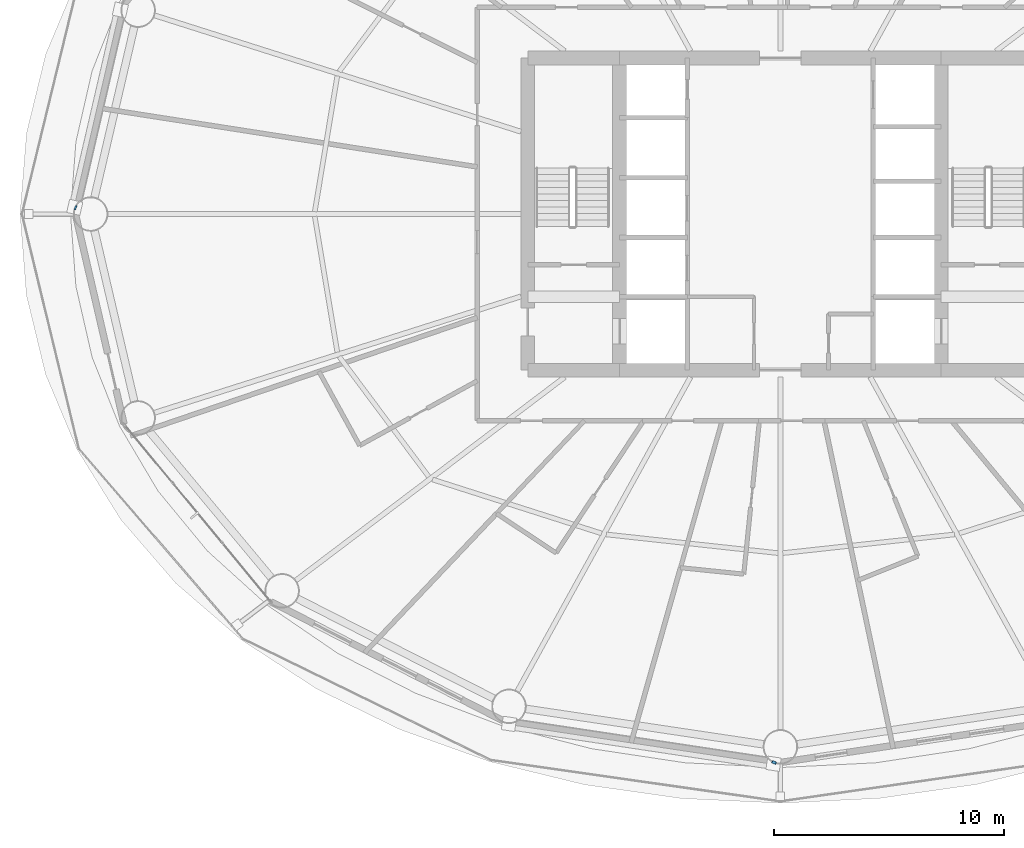
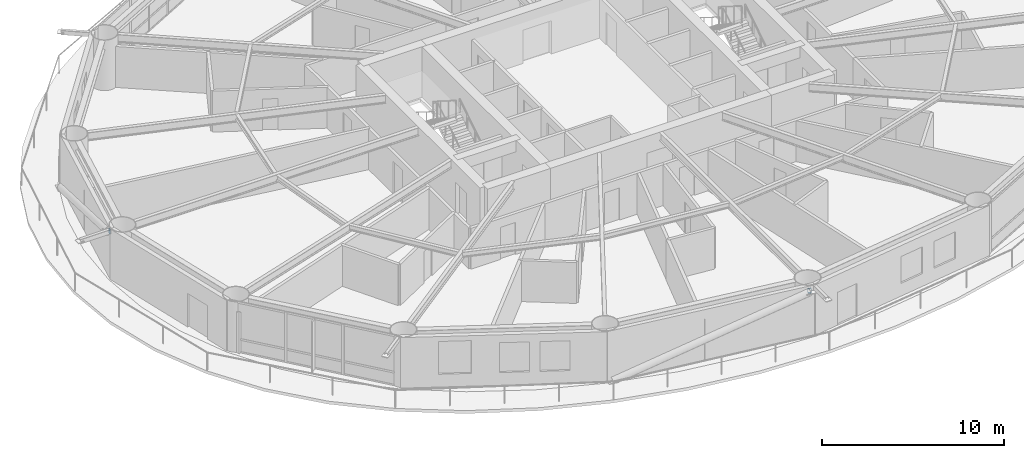
# One storey, part 16 of 28: 2 members.
"""IFC4 building model written with IfcOpenShell, lengths in metres."""

from ifc_helpers import new_model, si_unit, direction, frame, origin, origin_2d, place, context, subcontext, project, spatial, hollow_rectangle, extrude, material, material_profile, profile_set, type_object, element, save


model = new_model("IFC4")

# Units and contexts
model_context = context("Model", 3, precision=1e-05, world=origin(), true_north=direction((0.0, 1.0)))
body_context = subcontext(model_context, "Body", "Model", "MODEL_VIEW")
ifc_project = project(units=[si_unit("LENGTHUNIT", "METRE"), si_unit("AREAUNIT", "SQUARE_METRE"), si_unit("VOLUMEUNIT", "CUBIC_METRE"), si_unit("PLANEANGLEUNIT", "RADIAN"), si_unit("MASSUNIT", "GRAM", prefix="KILO")], contexts=[model_context])

# Site, building, storey
site_placement = place(None, origin())
site = spatial("IfcSite", under=ifc_project, at=site_placement, CompositionType="ELEMENT")
building_placement = place(site_placement, origin())
building = spatial("IfcBuilding", under=site, at=building_placement, Name="Sarneth Arch Tower", CompositionType="ELEMENT")
storey_placement = place(building_placement, frame((0.0, 0.0, 31.800048828125)))
storey = spatial("IfcBuildingStorey", under=building, at=storey_placement, Name="L06", CompositionType="ELEMENT", Elevation=31.800048828125)

# Members
ifc_material = material(Name="Steel S355", Category="steel")
ifc_material_profile = material_profile(ifc_material, hollow_rectangle(XDim=0.199951171875, YDim=0.300048828125, WallThickness=0.012451171875, InnerFilletRadius=0.018798828125, OuterFilletRadius=0.03125, at=origin_2d()), Name="RHS300x200x12.5")
ifc_profile_set = profile_set([ifc_material_profile], Name="Steel S355")
member_type = type_object("IfcMemberType", Name="MEM-CANT-STRUT", PredefinedType="STRUT", material=ifc_profile_set)
member_1_placement = place(storey_placement, frame((17.343505859375, 42.26318359375, 3.0068359375), z_axis=(-0.921327592233, 0.388787175446, 0.0), x_axis=(-0.388787175446, -0.921327592233, 0.0)))
element("IfcMember", 1, at=member_1_placement, inside=storey, type_object=member_type, Name="L06 Exoskeleton brace node strut 08B", PredefinedType="STRUT", context=body_context, shape_type="SweptSolid", body=[
    extrude(hollow_rectangle(XDim=0.199951171875, YDim=0.300048828125, WallThickness=0.012451171875, InnerFilletRadius=0.018798828125, OuterFilletRadius=0.03125, at=origin_2d()), origin(), (0.0, 0.0, 1.0), 0.07470703125),
])
member_2_placement = place(storey_placement, frame((47.74755859375, 18.174072265625, 3.0068359375), z_axis=(-0.374599922936, -0.927186549588, 0.0), x_axis=(0.927186549588, -0.374599922936, 0.0)))
element("IfcMember", 2, at=member_2_placement, inside=storey, type_object=member_type, Name="L06 Exoskeleton brace node strut 12B", PredefinedType="STRUT", context=body_context, shape_type="SweptSolid", body=[
    extrude(hollow_rectangle(XDim=0.199951171875, YDim=0.300048828125, WallThickness=0.012451171875, InnerFilletRadius=0.018798828125, OuterFilletRadius=0.03125, at=origin_2d()), origin(), (0.0, 0.0, 1.0), 0.117919921875),
])

save(model, "model.ifc")
